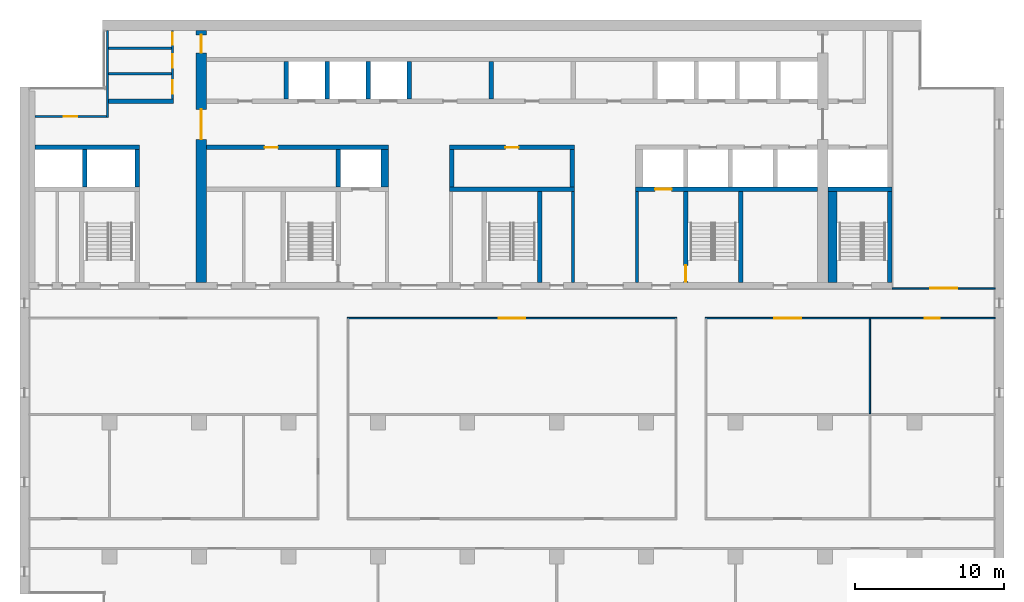
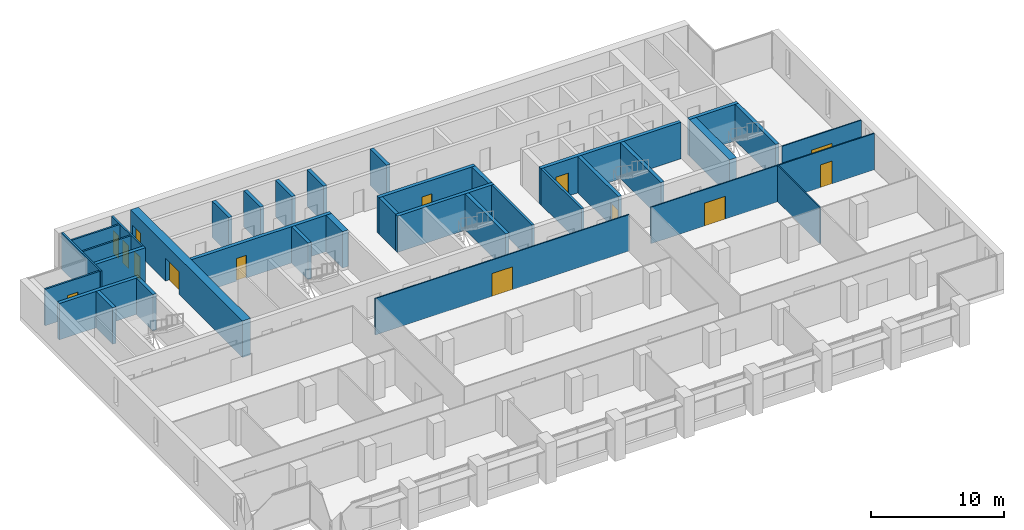
# One storey, part 10 of 17: 35 walls, 14 doors, 14 openings.
"""IFC4 building model written with IfcOpenShell, lengths in metres."""

import ifcopenshell
import ifcopenshell.guid

model = None  # the IFC model being written
_history = None  # IfcOwnerHistory: only IFC2X3 demands one
_inside = {}  # id of a spatial element -> (the spatial element, [elements in it])
_under = {}  # id of a project, library or spatial element -> (it, [spatial elements below it])
_declared = {}  # id of a project -> (the project, [libraries it declares])
_typed = {}  # id of a type object -> (the type object, [elements of that type])
_made_of = {}  # id of a material, layer set ... -> (it, [elements and type objects made of it])


def new_model(schema):
    """Start an empty IFC model of exactly this schema.

    Asked for "IFC4X3", IfcOpenShell would pick the latest addendum, in which some entities
    have other attributes; the version numbers below select the first issue.
    IFC2X3 requires an IfcOwnerHistory on every rooted entity: one is made here for all.
    """
    global model, _history
    if schema == "IFC4X3":
        model = ifcopenshell.file(schema_version=(4, 3, 0, 0))
    else:
        model = ifcopenshell.file(schema=schema)
    _inside.clear()
    _under.clear()
    _declared.clear()
    _typed.clear()
    _made_of.clear()
    _history = None
    if model.schema == "IFC2X3":
        org = make("IfcOrganization", Name="unknown")
        user = make(
            "IfcPersonAndOrganization",
            ThePerson=make("IfcPerson", FamilyName="unknown"),
            TheOrganization=org,
        )
        app = make(
            "IfcApplication",
            ApplicationDeveloper=org,
            Version="unknown",
            ApplicationFullName="unknown",
            ApplicationIdentifier="unknown",
        )
        _history = make(
            "IfcOwnerHistory",
            OwningUser=user,
            OwningApplication=app,
            ChangeAction="ADDED",
            CreationDate=0,
        )
    return model


def make(cls, **values):
    """One entity of the class cls with the attributes given. An attribute that is None is left unset."""
    return model.create_entity(
        cls, **{name: value for name, value in values.items() if value is not None}
    )


def rooted(cls, **values):
    """An entity with a GlobalId (a new one), such as an element, a storey or a relation."""
    return make(cls, GlobalId=ifcopenshell.guid.new(), OwnerHistory=_history, **values)


def si_unit(unit_type, name, prefix=None):
    """IfcSIUnit, for example si_unit("LENGTHUNIT", "METRE", prefix="MILLI")."""
    return make("IfcSIUnit", UnitType=unit_type, Prefix=prefix, Name=name)


def assignment(units):
    """IfcUnitAssignment: the units of a project."""
    return None if units is None else make("IfcUnitAssignment", Units=units)


def point(xyz):
    """IfcCartesianPoint."""
    return None if xyz is None else make("IfcCartesianPoint", Coordinates=xyz)


def direction(xyz):
    """IfcDirection."""
    return None if xyz is None else make("IfcDirection", DirectionRatios=xyz)


def frame(location, z_axis=None, x_axis=None):
    """IfcAxis2Placement3D, a coordinate frame: its origin and axes. An axis left out is left unset."""
    return make(
        "IfcAxis2Placement3D",
        Location=point(location),
        Axis=direction(z_axis),
        RefDirection=direction(x_axis),
    )


def frame_2d(location, x_axis=None):
    """IfcAxis2Placement2D, a coordinate frame in the plane: its origin and x axis."""
    return make(
        "IfcAxis2Placement2D", Location=point(location), RefDirection=direction(x_axis)
    )


def origin():
    """The frame at (0, 0, 0) with its axes left unset."""
    return frame((0.0, 0.0, 0.0))


def place(relative_to, where):
    """IfcLocalPlacement: puts the frame where relative to a parent placement (None: the world)."""
    return make(
        "IfcLocalPlacement", PlacementRelTo=relative_to, RelativePlacement=where
    )


def context(
    kind, dimensions, precision=None, world=None, true_north=None, identifier=None
):
    """IfcGeometricRepresentationContext, for example the 3D "Model" context."""
    return make(
        "IfcGeometricRepresentationContext",
        ContextIdentifier=identifier,
        ContextType=kind,
        CoordinateSpaceDimension=dimensions,
        Precision=precision,
        WorldCoordinateSystem=world,
        TrueNorth=true_north,
    )


def subcontext(parent, identifier, kind, view, scale=None):
    """IfcGeometricRepresentationSubContext, for example "Body" below "Model"."""
    return make(
        "IfcGeometricRepresentationSubContext",
        ContextIdentifier=identifier,
        ContextType=kind,
        ParentContext=parent,
        TargetScale=scale,
        TargetView=view,
    )


def project(units=None, contexts=None):
    """IfcProject with its units and contexts."""
    return rooted(
        "IfcProject",
        Name="project",
        RepresentationContexts=contexts,
        UnitsInContext=assignment(units),
    )


def spatial(cls, under=None, at=None, **own):
    """A site, building, storey or space (cls), placed at a placement, below another one or the project."""
    s = rooted(cls, ObjectPlacement=at, **own)
    if under is not None:
        _under.setdefault(under.id(), (under, []))[1].append(s)
    return s


def profile(cls, at=None, kind="AREA", **sizes):
    """A parametric profile (cls). Its sizes go by their IFC names, for example OverallWidth=200.0."""
    return make(cls, ProfileType=kind, Position=at, **sizes)


def rectangle(**sizes):
    """IfcRectangleProfileDef."""
    return profile("IfcRectangleProfileDef", **sizes)


def extrude(swept, where, along, depth):
    """IfcExtrudedAreaSolid: the profile swept, set in the frame where, extruded along a direction by depth."""
    return make(
        "IfcExtrudedAreaSolid",
        SweptArea=swept,
        Position=where,
        ExtrudedDirection=direction(along),
        Depth=depth,
    )


def shape(context_of_items, identifier, shape_type, items):
    """IfcShapeRepresentation: the items that make up one representation, for example the "Body"."""
    return make(
        "IfcShapeRepresentation",
        ContextOfItems=context_of_items,
        RepresentationIdentifier=identifier,
        RepresentationType=shape_type,
        Items=items,
    )


def material(Name=None, Category=None):
    """IfcMaterial."""
    return make("IfcMaterial", Name=Name, Category=Category)


def layer(
    of_material, thickness, ventilated=None, Name=None, Category=None, Priority=None
):
    """IfcMaterialLayer: one layer of a wall or slab, of a material (None: an air gap)."""
    return make(
        "IfcMaterialLayer",
        Material=of_material,
        LayerThickness=thickness,
        IsVentilated=ventilated,
        Name=Name,
        Category=Category,
        Priority=Priority,
    )


def layer_set(layers, Name=None):
    """IfcMaterialLayerSet."""
    return make("IfcMaterialLayerSet", MaterialLayers=layers, LayerSetName=Name)


def made_of(thing, what):
    """Note that an element or type object is made of a material, layer set ...; save() writes the relation."""
    if what is not None:
        _made_of.setdefault(what.id(), (what, []))[1].append(thing)
    return thing


def type_object(cls, material=None, **own):
    """A type object (cls), such as IfcWallType, which elements share."""
    return made_of(rooted(cls, **own), material)


def element(
    cls,
    number,
    at=None,
    inside=None,
    cuts=None,
    type_object=None,
    material=None,
    context=None,
    identifier="Body",
    shape_type=None,
    held_by="IfcProductDefinitionShape",
    body=None,
    shapes=None,
    **own,
):
    """One element of the class cls, such as IfcWall. Its Tag is "e" and its number.

    at: its placement. inside: the storey or other place that contains it. cuts: it is an
    opening in that element (IfcRelVoidsElement). A single representation is given by context,
    identifier, shape_type and body (its items); several are given by shapes. held_by: the class
    of the entity that holds the representations. save() writes the other relations.
    """
    e = rooted(cls, Tag="e%d" % number, ObjectPlacement=at, **own)
    if body is not None:
        shapes = [shape(context, identifier, shape_type, body)]
    if shapes is not None:
        e.Representation = make(held_by, Representations=shapes)
    if inside is not None:
        _inside.setdefault(inside.id(), (inside, []))[1].append(e)
    if cuts is not None:
        rooted(
            "IfcRelVoidsElement", RelatingBuildingElement=cuts, RelatedOpeningElement=e
        )
    if type_object is not None:
        _typed.setdefault(type_object.id(), (type_object, []))[1].append(e)
    return made_of(e, material)


def fill(opening, filler):
    """IfcRelFillsElement: the door or window that sits in an opening."""
    return rooted(
        "IfcRelFillsElement",
        RelatingOpeningElement=opening,
        RelatedBuildingElement=filler,
    )


def aggregate(whole, parts):
    """IfcRelAggregates: a whole, such as a stair, and the parts it consists of."""
    return rooted("IfcRelAggregates", RelatingObject=whole, RelatedObjects=parts)


def save(model, path):
    """Write the relations noted so far, then the file.

    IfcRelAggregates (storeys below a building ...), IfcRelContainedInSpatialStructure (elements
    in a storey), IfcRelDefinesByType, IfcRelAssociatesMaterial and IfcRelDeclares: one each for
    every whole, place, type object, material and project.
    """
    for whole, parts in _under.values():
        aggregate(whole, parts)
    for where, things in _inside.values():
        rooted(
            "IfcRelContainedInSpatialStructure",
            RelatedElements=things,
            RelatingStructure=where,
        )
    for kind, things in _typed.values():
        rooted("IfcRelDefinesByType", RelatedObjects=things, RelatingType=kind)
    for what, things in _made_of.values():
        rooted("IfcRelAssociatesMaterial", RelatedObjects=things, RelatingMaterial=what)
    for by, libraries in _declared.values():
        rooted("IfcRelDeclares", RelatingContext=by, RelatedDefinitions=libraries)
    model.write(path)


model = new_model("IFC4")

# Units and contexts
model_context = context("Model", 3, precision=1e-05, world=origin(), true_north=direction((0.0, 1.0)))
body_context = subcontext(model_context, "Body", "Model", "MODEL_VIEW")
ifc_project = project(units=[si_unit("LENGTHUNIT", "METRE"), si_unit("AREAUNIT", "SQUARE_METRE"), si_unit("VOLUMEUNIT", "CUBIC_METRE"), si_unit("PLANEANGLEUNIT", "RADIAN"), si_unit("MASSUNIT", "GRAM", prefix="KILO")], contexts=[model_context])

# Site, building, storey
site_placement = place(None, origin())
site = spatial("IfcSite", under=ifc_project, at=site_placement, CompositionType="ELEMENT")
building_placement = place(site_placement, origin())
building = spatial("IfcBuilding", under=site, at=building_placement, Name="Calvaro Tower", CompositionType="ELEMENT")
storey_placement = place(building_placement, frame((0.0, 0.0, 211.75)))
storey = spatial("IfcBuildingStorey", under=building, at=storey_placement, Name="L53", CompositionType="ELEMENT", Elevation=211.75)

# Walls
ifc_material_1 = material(Name="Blockwork partition", Category="masonry")
ifc_layer_1 = layer(ifc_material_1, 0.14990234375)
ifc_layer_set_1 = layer_set([ifc_layer_1], Name="Blockwork partition")
wall_type_1 = type_object("IfcWallType", Name="Core partition 150 EI 60", PredefinedType="PARTITIONING", material=ifc_layer_set_1)
for number, where, z_axis, x_axis, name in (
    (1, (11.949951171875, 42.39990234375, 0.0), (0.0, 0.0, 1.0), (1.0, 0.0, 0.0), "Core partition"),
    (2, (11.949951171875, 44.10009765625, 0.0), (0.0, 0.0, 1.0), (1.0, 0.0, 0.0), "Core partition"),
):
    element("IfcWall", number, at=place(storey_placement, frame(where, z_axis=z_axis, x_axis=x_axis)), inside=storey, type_object=wall_type_1, Name=name, PredefinedType="PARTITIONING", context=body_context, shape_type="SweptSolid", body=[
        extrude(rectangle(XDim=4.199951171875, YDim=0.14990234375, at=frame_2d((2.10009765625, 0.0))), origin(), (0.0, 0.0, 1.0), 3.35009765625),
    ])

# Wall, openings, doors
ifc_material_2 = material(Name="Blockwork partition", Category="masonry")
ifc_layer_2 = layer(ifc_material_2, 0.14990234375)
ifc_layer_set_2 = layer_set([ifc_layer_2], Name="Blockwork partition")
wall_type_2 = type_object("IfcWallType", Name="Core partition 150 REI 120", PredefinedType="PARTITIONING", material=ifc_layer_set_2)
wall_1_placement = place(storey_placement, frame((16.22509765625, 45.300048828125, 0.0), z_axis=(0.0, 0.0, 1.0), x_axis=(0.0, -1.0, 0.0)))
wall_1 = element("IfcWall", 3, at=wall_1_placement, inside=storey, type_object=wall_type_2, Name="Core partition", PredefinedType="PARTITIONING", context=body_context, shape_type="SweptSolid", body=[
    extrude(rectangle(XDim=4.60009765625, YDim=0.14990234375, at=frame_2d((2.300048828125, 0.0))), origin(), (0.0, 0.0, 1.0), 3.35009765625),
])
opening_1_placement = place(wall_1_placement, frame((3.33740234375, 0.0, 0.0)))
opening_1 = element("IfcOpeningElement", 4, at=opening_1_placement, cuts=wall_1, Name="Opening RD9", PredefinedType="OPENING", context=body_context, shape_type="SweptSolid", body=[
    extrude(rectangle(XDim=0.89990234375, YDim=2.10009765625, at=frame_2d((0.449951171875, 1.050048828125))), frame((0.0, 0.0849609375, 0.0), z_axis=(0.0, -1.0, 0.0), x_axis=(1.0, 0.0, 0.0)), (0.0, 0.0, 1.0), 0.169921875),
])
opening_2_placement = place(wall_1_placement, frame((1.60009765625, 0.0, 0.0)))
opening_2 = element("IfcOpeningElement", 5, at=opening_2_placement, cuts=wall_1, Name="Opening RD9", PredefinedType="OPENING", context=body_context, shape_type="SweptSolid", body=[
    extrude(rectangle(XDim=0.89990234375, YDim=2.10009765625, at=frame_2d((0.449951171875, 1.050048828125))), frame((0.0, 0.0849609375, 0.0), z_axis=(0.0, -1.0, 0.0), x_axis=(1.0, 0.0, 0.0)), (0.0, 0.0, 1.0), 0.169921875),
])
opening_3_placement = place(wall_1_placement, frame((0.16259765625, 0.0, 0.0)))
opening_3 = element("IfcOpeningElement", 6, at=opening_3_placement, cuts=wall_1, Name="Opening RD8C", PredefinedType="OPENING", context=body_context, shape_type="SweptSolid", body=[
    extrude(rectangle(XDim=0.800048828125, YDim=2.10009765625, at=frame_2d((0.39990234375, 1.050048828125))), frame((0.0, 0.0849609375, 0.0), z_axis=(0.0, -1.0, 0.0), x_axis=(1.0, 0.0, 0.0)), (0.0, 0.0, 1.0), 0.169921875),
])
ifc_material_3 = material(Name="Steel door set", Category="steel")
door_type_1 = type_object("IfcDoorType", Name="Room door 800 FD30", OperationType="SINGLE_SWING_LEFT", PredefinedType="DOOR", material=ifc_material_3)
door_1_placement = place(opening_3_placement, origin())
door_1 = element("IfcDoor", 7, at=door_1_placement, inside=storey, type_object=door_type_1, Name="Room door", OperationType="SINGLE_SWING_RIGHT", OverallHeight=2.10009765625, OverallWidth=0.800048828125, PredefinedType="DOOR", context=body_context, shape_type="SweptSolid", body=[
    extrude(rectangle(XDim=0.800048828125, YDim=2.10009765625, at=frame_2d((0.39990234375, 1.050048828125))), frame((0.0, 0.02490234375, 0.0), z_axis=(0.0, -1.0, 0.0), x_axis=(1.0, 0.0, 0.0)), (0.0, 0.0, 1.0), 0.050048828125),
])
fill(opening_3, door_1)
ifc_material_4 = material(Name="Steel door set", Category="steel")
door_type_2 = type_object("IfcDoorType", Name="Room door 900", OperationType="SINGLE_SWING_LEFT", PredefinedType="DOOR", material=ifc_material_4)
door_2_placement = place(opening_1_placement, origin())
door_2 = element("IfcDoor", 8, at=door_2_placement, inside=storey, type_object=door_type_2, Name="Room door", OperationType="SINGLE_SWING_RIGHT", OverallHeight=2.10009765625, OverallWidth=0.89990234375, PredefinedType="DOOR", context=body_context, shape_type="SweptSolid", body=[
    extrude(rectangle(XDim=0.89990234375, YDim=2.10009765625, at=frame_2d((0.449951171875, 1.050048828125))), frame((0.0, 0.02490234375, 0.0), z_axis=(0.0, -1.0, 0.0), x_axis=(1.0, 0.0, 0.0)), (0.0, 0.0, 1.0), 0.050048828125),
])
fill(opening_1, door_2)
door_3_placement = place(opening_2_placement, origin())
door_3 = element("IfcDoor", 9, at=door_3_placement, inside=storey, type_object=door_type_2, Name="Room door", OperationType="SINGLE_SWING_RIGHT", OverallHeight=2.10009765625, OverallWidth=0.89990234375, PredefinedType="DOOR", context=body_context, shape_type="SweptSolid", body=[
    extrude(rectangle(XDim=0.89990234375, YDim=2.10009765625, at=frame_2d((0.449951171875, 1.050048828125))), frame((0.0, 0.02490234375, 0.0), z_axis=(0.0, -1.0, 0.0), x_axis=(1.0, 0.0, 0.0)), (0.0, 0.0, 1.0), 0.050048828125),
])
fill(opening_2, door_3)

# Wall
wall_2_placement = place(storey_placement, frame((11.875, 39.449951171875, 0.0), z_axis=(0.0, 0.0, 1.0), x_axis=(0.0, 1.0, 0.0)))
element("IfcWall", 10, at=wall_2_placement, inside=storey, type_object=wall_type_2, Name="Core partition", PredefinedType="PARTITIONING", context=body_context, shape_type="SweptSolid", body=[
    extrude(rectangle(XDim=5.85009765625, YDim=0.14990234375, at=frame_2d((2.925048828125, 0.0))), origin(), (0.0, 0.0, 1.0), 3.35009765625),
])

# Wall, opening, door
wall_3_placement = place(storey_placement, frame((7.0, 39.52490234375, 0.0), z_axis=(0.0, 0.0, 1.0), x_axis=(1.0, 0.0, 0.0)))
wall_3 = element("IfcWall", 11, at=wall_3_placement, inside=storey, type_object=wall_type_2, Name="Core partition", PredefinedType="PARTITIONING", context=body_context, shape_type="SweptSolid", body=[
    extrude(rectangle(XDim=4.800048828125, YDim=0.14990234375, at=frame_2d((2.39990234375, 0.0))), origin(), (0.0, 0.0, 1.0), 3.35009765625),
])
opening_4_placement = place(wall_3_placement, frame((1.949951171875, 0.0, 0.0)))
opening_4 = element("IfcOpeningElement", 12, at=opening_4_placement, cuts=wall_3, Name="Opening RD9", PredefinedType="OPENING", context=body_context, shape_type="SweptSolid", body=[
    extrude(rectangle(XDim=0.89990234375, YDim=2.10009765625, at=frame_2d((0.449951171875, 1.050048828125))), frame((0.0, 0.0849609375, 0.0), z_axis=(0.0, -1.0, 0.0), x_axis=(1.0, 0.0, 0.0)), (0.0, 0.0, 1.0), 0.169921875),
])
door_4_placement = place(opening_4_placement, origin())
door_4 = element("IfcDoor", 13, at=door_4_placement, inside=storey, type_object=door_type_2, Name="Room door", OperationType="SINGLE_SWING_LEFT", OverallHeight=2.10009765625, OverallWidth=0.89990234375, PredefinedType="DOOR", context=body_context, shape_type="SweptSolid", body=[
    extrude(rectangle(XDim=0.89990234375, YDim=2.10009765625, at=frame_2d((0.449951171875, 1.050048828125))), frame((0.0, 0.02490234375, 0.0), z_axis=(0.0, -1.0, 0.0), x_axis=(1.0, 0.0, 0.0)), (0.0, 0.0, 1.0), 0.050048828125),
])
fill(opening_4, door_4)

# Walls
ifc_material_5 = material(Name="Blockwork partition", Category="masonry")
ifc_layer_3 = layer(ifc_material_5, 0.199951171875)
ifc_layer_set_3 = layer_set([ifc_layer_3], Name="Blockwork partition")
wall_type_3 = type_object("IfcWallType", Name="Core partition 200 REI 120", PredefinedType="PARTITIONING", material=ifc_layer_set_3)
for number, where, z_axis, x_axis, name in (
    (14, (43.10009765625, 28.39990234375, 0.0), (0.0, 0.0, 1.0), (0.0, 1.0, 0.0), "Core partition"),
    (15, (47.39990234375, 28.39990234375, 0.0), (0.0, 0.0, 1.0), (0.0, 1.0, 0.0), "Core partition"),
):
    element("IfcWall", number, at=place(storey_placement, frame(where, z_axis=z_axis, x_axis=x_axis)), inside=storey, type_object=wall_type_3, Name=name, PredefinedType="PARTITIONING", context=body_context, shape_type="SweptSolid", body=[
        extrude(rectangle(XDim=6.10009765625, YDim=0.199951171875, at=frame_2d((3.050048828125, 0.0))), origin(), (0.0, 0.0, 1.0), 3.35009765625),
    ])
ifc_material_6 = material(Name="Blockwork partition", Category="masonry")
ifc_layer_4 = layer(ifc_material_6, 0.300048828125)
ifc_layer_set_4 = layer_set([ifc_layer_4], Name="Blockwork partition")
wall_type_4 = type_object("IfcWallType", Name="Core partition 300 EI 60", PredefinedType="PARTITIONING", material=ifc_layer_set_4)
wall_4_placement = place(storey_placement, frame((37.60009765625, 40.699951171875, 0.0), z_axis=(0.0, 0.0, 1.0), x_axis=(0.0, 1.0, 0.0)))
element("IfcWall", 16, at=wall_4_placement, inside=storey, type_object=wall_type_4, Name="Core partition", PredefinedType="PARTITIONING", context=body_context, shape_type="SweptSolid", body=[
    extrude(rectangle(XDim=2.5, YDim=0.300048828125, at=frame_2d((1.25, 0.0))), origin(), (0.0, 0.0, 1.0), 3.35009765625),
])
ifc_material_7 = material(Name="Blockwork partition", Category="masonry")
ifc_layer_5 = layer(ifc_material_7, 0.300048828125)
ifc_layer_set_5 = layer_set([ifc_layer_5], Name="Blockwork partition")
wall_type_5 = type_object("IfcWallType", Name="Core partition 300 REI 120", PredefinedType="PARTITIONING", material=ifc_layer_set_5)
wall_5_placement = place(storey_placement, frame((11.949951171875, 40.550048828125, 0.0), z_axis=(0.0, 0.0, 1.0), x_axis=(1.0, 0.0, 0.0)))
element("IfcWall", 17, at=wall_5_placement, inside=storey, type_object=wall_type_5, Name="Core partition", PredefinedType="PARTITIONING", context=body_context, shape_type="SweptSolid", body=[
    extrude(rectangle(XDim=4.35009765625, YDim=0.300048828125, at=frame_2d((2.175048828125, 0.0))), origin(), (0.0, 0.0, 1.0), 3.35009765625),
])
ifc_material_8 = material(Name="Concrete C50/60", Category="concrete")
ifc_layer_6 = layer(ifc_material_8, 0.300048828125)
ifc_layer_set_6 = layer_set([ifc_layer_6], Name="Concrete C50/60")
wall_type_6 = type_object("IfcWallType", Name="Core wall C50/60 300", PredefinedType="SHEAR", material=ifc_layer_set_6)
wall_6_placement = place(storey_placement, frame((40.85009765625, 28.39990234375, 0.0), z_axis=(0.0, 0.0, 1.0), x_axis=(0.0, 1.0, 0.0)))
element("IfcWall", 18, at=wall_6_placement, inside=storey, type_object=wall_type_6, Name="Core wall, stair enclosure", PredefinedType="SHEAR", context=body_context, shape_type="SweptSolid", body=[
    extrude(rectangle(XDim=6.10009765625, YDim=0.300048828125, at=frame_2d((3.050048828125, 0.0))), origin(), (0.0, 0.0, 1.0), 3.35009765625),
])

# Wall, opening, door
wall_7_placement = place(storey_placement, frame((50.64990234375, 34.5, 0.0), z_axis=(0.0, 0.0, 1.0), x_axis=(0.0, -1.0, 0.0)))
wall_7 = element("IfcWall", 19, at=wall_7_placement, inside=storey, type_object=wall_type_6, Name="Core wall, stair enclosure", PredefinedType="SHEAR", context=body_context, shape_type="SweptSolid", body=[
    extrude(rectangle(XDim=6.10009765625, YDim=0.300048828125, at=frame_2d((3.050048828125, 0.0))), origin(), (0.0, 0.0, 1.0), 3.35009765625),
])
opening_5_placement = place(wall_7_placement, frame((4.949951171875, 0.0, 0.0)))
opening_5 = element("IfcOpeningElement", 20, at=opening_5_placement, cuts=wall_7, Name="Opening FD11D", PredefinedType="OPENING", context=body_context, shape_type="SweptSolid", body=[
    extrude(rectangle(XDim=1.10009765625, YDim=2.10009765625, at=frame_2d((0.550048828125, 1.050048828125))), frame((0.0, 0.159912109375, 0.0), z_axis=(0.0, -1.0, 0.0), x_axis=(1.0, 0.0, 0.0)), (0.0, 0.0, 1.0), 0.320068359375),
])
ifc_material_9 = material(Name="Steel door set", Category="steel")
door_type_3 = type_object("IfcDoorType", Name="Fire door 1100 FD30S", OperationType="SINGLE_SWING_LEFT", PredefinedType="DOOR", material=ifc_material_9)
door_5_placement = place(opening_5_placement, origin())
door_5 = element("IfcDoor", 21, at=door_5_placement, inside=storey, type_object=door_type_3, Name="Fire door", OperationType="SINGLE_SWING_RIGHT", OverallHeight=2.10009765625, OverallWidth=1.10009765625, PredefinedType="DOOR", context=body_context, shape_type="SweptSolid", body=[
    extrude(rectangle(XDim=1.10009765625, YDim=2.10009765625, at=frame_2d((0.550048828125, 1.050048828125))), frame((0.0, 0.02490234375, 0.0), z_axis=(0.0, -1.0, 0.0), x_axis=(1.0, 0.0, 0.0)), (0.0, 0.0, 1.0), 0.050048828125),
])
fill(opening_5, door_5)

# Walls
for number, where, z_axis, x_axis, name in (
    (22, (54.35009765625, 28.39990234375, 0.0), (0.0, 0.0, 1.0), (0.0, 1.0, 0.0), "Core wall, stair enclosure"),
    (23, (64.35009765625, 28.39990234375, 0.0), (0.0, 0.0, 1.0), (0.0, 1.0, 0.0), "Core wall, stair enclosure"),
):
    element("IfcWall", number, at=place(storey_placement, frame(where, z_axis=z_axis, x_axis=x_axis)), inside=storey, type_object=wall_type_6, Name=name, PredefinedType="SHEAR", context=body_context, shape_type="SweptSolid", body=[
        extrude(rectangle(XDim=6.10009765625, YDim=0.300048828125, at=frame_2d((3.050048828125, 0.0))), origin(), (0.0, 0.0, 1.0), 3.35009765625),
    ])
wall_8_placement = place(storey_placement, frame((34.800048828125, 34.64990234375, 0.0), z_axis=(0.0, 0.0, 1.0), x_axis=(1.0, 0.0, 0.0)))
element("IfcWall", 24, at=wall_8_placement, inside=storey, type_object=wall_type_6, Name="Core wall, lift shaft", PredefinedType="SHEAR", context=body_context, shape_type="SweptSolid", body=[
    extrude(rectangle(XDim=8.39990234375, YDim=0.300048828125, at=frame_2d((4.199951171875, 0.0))), origin(), (0.0, 0.0, 1.0), 3.35009765625),
])

# Wall, opening, door
wall_9_placement = place(storey_placement, frame((47.300048828125, 34.64990234375, 0.0), z_axis=(0.0, 0.0, 1.0), x_axis=(1.0, 0.0, 0.0)))
wall_9 = element("IfcWall", 25, at=wall_9_placement, inside=storey, type_object=wall_type_6, Name="Core wall, lift shaft", PredefinedType="SHEAR", context=body_context, shape_type="SweptSolid", body=[
    extrude(rectangle(XDim=12.199951171875, YDim=0.300048828125, at=frame_2d((6.10009765625, 0.0))), origin(), (0.0, 0.0, 1.0), 3.35009765625),
])
opening_6_placement = place(wall_9_placement, frame((1.300048828125, 0.0, 0.0)))
opening_6 = element("IfcOpeningElement", 26, at=opening_6_placement, cuts=wall_9, Name="Opening FF2", PredefinedType="OPENING", context=body_context, shape_type="SweptSolid", body=[
    extrude(rectangle(XDim=1.10009765625, YDim=2.10009765625, at=frame_2d((0.550048828125, 1.050048828125))), frame((0.0, 0.159912109375, 0.0), z_axis=(0.0, -1.0, 0.0), x_axis=(1.0, 0.0, 0.0)), (0.0, 0.0, 1.0), 0.320068359375),
])
ifc_material_10 = material(Name="Stainless steel", Category="steel")
door_type_4 = type_object("IfcDoorType", Name="Landing door 1100 E 60", OperationType="SLIDING_TO_LEFT", PredefinedType="DOOR", material=ifc_material_10)
door_6_placement = place(opening_6_placement, origin())
door_6 = element("IfcDoor", 27, at=door_6_placement, inside=storey, type_object=door_type_4, Name="Landing door FF2", OperationType="SLIDING_TO_LEFT", OverallHeight=2.10009765625, OverallWidth=1.10009765625, PredefinedType="DOOR", context=body_context, shape_type="SweptSolid", body=[
    extrude(rectangle(XDim=1.10009765625, YDim=2.10009765625, at=frame_2d((0.550048828125, 1.050048828125))), frame((0.0, 0.02490234375, 0.0), z_axis=(0.0, -1.0, 0.0), x_axis=(1.0, 0.0, 0.0)), (0.0, 0.0, 1.0), 0.050048828125),
])
fill(opening_6, door_6)

# Walls
wall_10_placement = place(storey_placement, frame((60.199951171875, 34.64990234375, 0.0), z_axis=(0.0, 0.0, 1.0), x_axis=(1.0, 0.0, 0.0)))
element("IfcWall", 28, at=wall_10_placement, inside=storey, type_object=wall_type_6, Name="Core wall, lift shaft", PredefinedType="SHEAR", context=body_context, shape_type="SweptSolid", body=[
    extrude(rectangle(XDim=4.300048828125, YDim=0.300048828125, at=frame_2d((2.14990234375, 0.0))), origin(), (0.0, 0.0, 1.0), 3.35009765625),
])
wall_11_placement = place(storey_placement, frame((7.0, 37.449951171875, 0.0), z_axis=(0.0, 0.0, 1.0), x_axis=(1.0, 0.0, 0.0)))
element("IfcWall", 29, at=wall_11_placement, inside=storey, type_object=wall_type_6, Name="Core wall, lift shaft", PredefinedType="SHEAR", context=body_context, shape_type="SweptSolid", body=[
    extrude(rectangle(XDim=7.0, YDim=0.300048828125, at=frame_2d((3.5, 0.0))), origin(), (0.0, 0.0, 1.0), 3.35009765625),
])

# Wall, opening, door
wall_12_placement = place(storey_placement, frame((30.699951171875, 37.449951171875, 0.0), z_axis=(0.0, 0.0, 1.0), x_axis=(-1.0, 0.0, 0.0)))
wall_12 = element("IfcWall", 30, at=wall_12_placement, inside=storey, type_object=wall_type_6, Name="Core wall, bay", PredefinedType="SHEAR", context=body_context, shape_type="SweptSolid", body=[
    extrude(rectangle(XDim=12.199951171875, YDim=0.300048828125, at=frame_2d((6.10009765625, 0.0))), origin(), (0.0, 0.0, 1.0), 3.35009765625),
])
opening_7_placement = place(wall_12_placement, frame((7.39990234375, 0.0, 0.0)))
opening_7 = element("IfcOpeningElement", 31, at=opening_7_placement, cuts=wall_12, Name="Opening RD9E", PredefinedType="OPENING", context=body_context, shape_type="SweptSolid", body=[
    extrude(rectangle(XDim=0.89990234375, YDim=2.10009765625, at=frame_2d((0.449951171875, 1.050048828125))), frame((0.0, 0.159912109375, 0.0), z_axis=(0.0, -1.0, 0.0), x_axis=(1.0, 0.0, 0.0)), (0.0, 0.0, 1.0), 0.320068359375),
])
ifc_material_11 = material(Name="Steel door set", Category="steel")
door_type_5 = type_object("IfcDoorType", Name="Room door 900 FD60", OperationType="SINGLE_SWING_LEFT", PredefinedType="DOOR", material=ifc_material_11)
door_7_placement = place(opening_7_placement, origin())
door_7 = element("IfcDoor", 32, at=door_7_placement, inside=storey, type_object=door_type_5, Name="Room door", OperationType="SINGLE_SWING_LEFT", OverallHeight=2.10009765625, OverallWidth=0.89990234375, PredefinedType="DOOR", context=body_context, shape_type="SweptSolid", body=[
    extrude(rectangle(XDim=0.89990234375, YDim=2.10009765625, at=frame_2d((0.449951171875, 1.050048828125))), frame((0.0, 0.02490234375, 0.0), z_axis=(0.0, -1.0, 0.0), x_axis=(1.0, 0.0, 0.0)), (0.0, 0.0, 1.0), 0.050048828125),
])
fill(opening_7, door_7)

wall_13_placement = place(storey_placement, frame((43.199951171875, 37.449951171875, 0.0), z_axis=(0.0, 0.0, 1.0), x_axis=(-1.0, 0.0, 0.0)))
wall_13 = element("IfcWall", 33, at=wall_13_placement, inside=storey, type_object=wall_type_6, Name="Core wall, bay", PredefinedType="SHEAR", context=body_context, shape_type="SweptSolid", body=[
    extrude(rectangle(XDim=8.39990234375, YDim=0.300048828125, at=frame_2d((4.199951171875, 0.0))), origin(), (0.0, 0.0, 1.0), 3.35009765625),
])
opening_8_placement = place(wall_13_placement, frame((3.75, 0.0, 0.0)))
opening_8 = element("IfcOpeningElement", 34, at=opening_8_placement, cuts=wall_13, Name="Opening RD9C", PredefinedType="OPENING", context=body_context, shape_type="SweptSolid", body=[
    extrude(rectangle(XDim=0.89990234375, YDim=2.10009765625, at=frame_2d((0.449951171875, 1.050048828125))), frame((0.0, 0.159912109375, 0.0), z_axis=(0.0, -1.0, 0.0), x_axis=(1.0, 0.0, 0.0)), (0.0, 0.0, 1.0), 0.320068359375),
])
ifc_material_12 = material(Name="Steel door set", Category="steel")
door_type_6 = type_object("IfcDoorType", Name="Room door 900 FD30", OperationType="SINGLE_SWING_LEFT", PredefinedType="DOOR", material=ifc_material_12)
door_8_placement = place(opening_8_placement, origin())
door_8 = element("IfcDoor", 35, at=door_8_placement, inside=storey, type_object=door_type_6, Name="Room door", OperationType="SINGLE_SWING_RIGHT", OverallHeight=2.10009765625, OverallWidth=0.89990234375, PredefinedType="DOOR", context=body_context, shape_type="SweptSolid", body=[
    extrude(rectangle(XDim=0.89990234375, YDim=2.10009765625, at=frame_2d((0.449951171875, 1.050048828125))), frame((0.0, 0.02490234375, 0.0), z_axis=(0.0, -1.0, 0.0), x_axis=(1.0, 0.0, 0.0)), (0.0, 0.0, 1.0), 0.050048828125),
])
fill(opening_8, door_8)

# Walls
for number, where, z_axis, x_axis, name in (
    (36, (27.35009765625, 34.800048828125, 0.0), (0.0, 0.0, 1.0), (0.0, 1.0, 0.0), "Core wall, lift shaft"),
    (37, (34.949951171875, 34.800048828125, 0.0), (0.0, 0.0, 1.0), (0.0, 1.0, 0.0), "Core wall, lift shaft"),
    (38, (43.050048828125, 34.800048828125, 0.0), (0.0, 0.0, 1.0), (0.0, 1.0, 0.0), "Core wall, lift shaft"),
    (39, (13.85009765625, 34.800048828125, 0.0), (0.0, 0.0, 1.0), (0.0, 1.0, 0.0), "Core wall, lift shaft"),
    (40, (23.85009765625, 40.699951171875, 0.0), (0.0, 0.0, 1.0), (0.0, 1.0, 0.0), "Core wall, lift shaft"),
    (41, (26.60009765625, 40.699951171875, 0.0), (0.0, 0.0, 1.0), (0.0, 1.0, 0.0), "Core wall, lift shaft"),
    (42, (29.35009765625, 40.699951171875, 0.0), (0.0, 0.0, 1.0), (0.0, 1.0, 0.0), "Core wall, lift shaft"),
    (43, (32.10009765625, 40.699951171875, 0.0), (0.0, 0.0, 1.0), (0.0, 1.0, 0.0), "Core wall, lift shaft"),
    (44, (10.35009765625, 34.800048828125, 0.0), (0.0, 0.0, 1.0), (0.0, 1.0, 0.0), "Core wall, lift shaft"),
):
    element("IfcWall", number, at=place(storey_placement, frame(where, z_axis=z_axis, x_axis=x_axis)), inside=storey, type_object=wall_type_6, Name=name, PredefinedType="SHEAR", context=body_context, shape_type="SweptSolid", body=[
        extrude(rectangle(XDim=2.5, YDim=0.300048828125, at=frame_2d((1.25, 0.0))), origin(), (0.0, 0.0, 1.0), 3.35009765625),
    ])
ifc_material_13 = material(Name="Concrete C50/60", Category="concrete")
ifc_layer_7 = layer(ifc_material_13, 0.5)
ifc_layer_set_7 = layer_set([ifc_layer_7], Name="Concrete C50/60")
wall_type_7 = type_object("IfcWallType", Name="Core wall C50/60 500", PredefinedType="SHEAR", material=ifc_layer_set_7)
wall_14_placement = place(storey_placement, frame((30.449951171875, 34.800048828125, 0.0), z_axis=(0.0, 0.0, 1.0), x_axis=(0.0, 1.0, 0.0)))
element("IfcWall", 45, at=wall_14_placement, inside=storey, type_object=wall_type_7, Name="Core wall, lift shaft", PredefinedType="SHEAR", context=body_context, shape_type="SweptSolid", body=[
    extrude(rectangle(XDim=2.5, YDim=0.5, at=frame_2d((1.25, 0.0))), origin(), (0.0, 0.0, 1.0), 3.35009765625),
])
ifc_material_14 = material(Name="Concrete C50/60", Category="concrete")
ifc_layer_8 = layer(ifc_material_14, 0.60009765625)
ifc_layer_set_8 = layer_set([ifc_layer_8], Name="Concrete C50/60")
wall_type_8 = type_object("IfcWallType", Name="Core wall C50/60 600", PredefinedType="SHEAR", material=ifc_layer_set_8)
wall_15_placement = place(storey_placement, frame((60.5, 28.39990234375, 0.0), z_axis=(0.0, 0.0, 1.0), x_axis=(0.0, 1.0, 0.0)))
element("IfcWall", 46, at=wall_15_placement, inside=storey, type_object=wall_type_8, Name="Core wall, stair enclosure", PredefinedType="SHEAR", context=body_context, shape_type="SweptSolid", body=[
    extrude(rectangle(XDim=6.10009765625, YDim=0.60009765625, at=frame_2d((3.050048828125, 0.0))), origin(), (0.0, 0.0, 1.0), 3.35009765625),
])

# Wall, openings, doors
ifc_material_15 = material(Name="Concrete C50/60", Category="concrete")
ifc_layer_9 = layer(ifc_material_15, 0.699951171875)
ifc_layer_set_9 = layer_set([ifc_layer_9], Name="Concrete C50/60")
wall_type_9 = type_object("IfcWallType", Name="Core wall C50/60 700", PredefinedType="SHEAR", material=ifc_layer_set_9)
wall_16_placement = place(storey_placement, frame((18.14990234375, 28.39990234375, 0.0), z_axis=(0.0, 0.0, 1.0), x_axis=(0.0, 1.0, 0.0)))
wall_16 = element("IfcWall", 47, at=wall_16_placement, inside=storey, type_object=wall_type_9, Name="Core wall, cross shear wall", PredefinedType="SHEAR", context=body_context, shape_type="SweptSolid", body=[
    extrude(rectangle(XDim=16.900146484375, YDim=0.699951171875, at=frame_2d((8.4501953125, 0.0))), origin(), (0.0, 0.0, 1.0), 3.35009765625),
])
opening_9_placement = place(wall_16_placement, frame((9.60009765625, 0.0, 0.0)))
opening_9 = element("IfcOpeningElement", 48, at=opening_9_placement, cuts=wall_16, Name="Opening DD20D", PredefinedType="OPENING", context=body_context, shape_type="SweptSolid", body=[
    extrude(rectangle(XDim=2.0, YDim=2.10009765625, at=frame_2d((1.0, 1.050048828125))), frame((0.0, 0.35986328125, 0.0), z_axis=(0.0, -1.0, 0.0), x_axis=(1.0, 0.0, 0.0)), (0.0, 0.0, 1.0), 0.719970703125),
])
opening_10_placement = place(wall_16_placement, frame((15.39990234375, 0.0, 0.0)))
opening_10 = element("IfcOpeningElement", 49, at=opening_10_placement, cuts=wall_16, Name="Opening FD12C", PredefinedType="OPENING", context=body_context, shape_type="SweptSolid", body=[
    extrude(rectangle(XDim=1.199951171875, YDim=2.10009765625, at=frame_2d((0.60009765625, 1.050048828125))), frame((0.0, 0.35986328125, 0.0), z_axis=(0.0, -1.0, 0.0), x_axis=(1.0, 0.0, 0.0)), (0.0, 0.0, 1.0), 0.719970703125),
])
ifc_material_16 = material(Name="Steel door set", Category="steel")
door_type_7 = type_object("IfcDoorType", Name="Fire door 1200 FD30", OperationType="SINGLE_SWING_LEFT", PredefinedType="DOOR", material=ifc_material_16)
door_9_placement = place(opening_10_placement, origin())
door_9 = element("IfcDoor", 50, at=door_9_placement, inside=storey, type_object=door_type_7, Name="Fire door", OperationType="SINGLE_SWING_LEFT", OverallHeight=2.10009765625, OverallWidth=1.199951171875, PredefinedType="DOOR", context=body_context, shape_type="SweptSolid", body=[
    extrude(rectangle(XDim=1.199951171875, YDim=2.10009765625, at=frame_2d((0.60009765625, 1.050048828125))), frame((0.0, 0.02490234375, 0.0), z_axis=(0.0, -1.0, 0.0), x_axis=(1.0, 0.0, 0.0)), (0.0, 0.0, 1.0), 0.050048828125),
])
fill(opening_10, door_9)
ifc_material_17 = material(Name="Steel door set", Category="steel")
door_type_8 = type_object("IfcDoorType", Name="Lobby double door 2000 FD30S", OperationType="DOUBLE_DOOR_SINGLE_SWING", PredefinedType="DOOR", material=ifc_material_17)
door_10_placement = place(opening_9_placement, origin())
door_10 = element("IfcDoor", 51, at=door_10_placement, inside=storey, type_object=door_type_8, Name="Lobby double door", OperationType="DOUBLE_DOOR_SINGLE_SWING", OverallHeight=2.10009765625, OverallWidth=2.0, PredefinedType="DOOR", context=body_context, shape_type="SweptSolid", body=[
    extrude(rectangle(XDim=2.0, YDim=2.10009765625, at=frame_2d((1.0, 1.050048828125))), frame((0.0, 0.02490234375, 0.0), z_axis=(0.0, -1.0, 0.0), x_axis=(1.0, 0.0, 0.0)), (0.0, 0.0, 1.0), 0.050048828125),
])
fill(opening_9, door_10)

# Wall, opening, door
ifc_material_18 = material(Name="Plasterboard on steel studs", Category="steel")
ifc_layer_10 = layer(ifc_material_18, 0.10009765625)
ifc_layer_set_10 = layer_set([ifc_layer_10], Name="Plasterboard on steel studs")
wall_type_10 = type_object("IfcWallType", Name="Partition 100", PredefinedType="PARTITIONING", material=ifc_layer_set_10)
wall_17_placement = place(storey_placement, frame((27.949951171875, 26.0, 0.0), z_axis=(0.0, 0.0, 1.0), x_axis=(1.0, 0.0, 0.0)))
wall_17 = element("IfcWall", 52, at=wall_17_placement, inside=storey, type_object=wall_type_10, Name="Partition T30.W009", PredefinedType="PARTITIONING", context=body_context, shape_type="SweptSolid", body=[
    extrude(rectangle(XDim=22.10009765625, YDim=0.10009765625, at=frame_2d((11.050048828125, 0.0))), origin(), (0.0, 0.0, 1.0), 3.35009765625),
])
opening_11_placement = place(wall_17_placement, frame((10.14990234375, 0.0, 0.0)))
opening_11 = element("IfcOpeningElement", 53, at=opening_11_placement, cuts=wall_17, Name="Opening T30.013", PredefinedType="OPENING", context=body_context, shape_type="SweptSolid", body=[
    extrude(rectangle(XDim=1.800048828125, YDim=2.10009765625, at=frame_2d((0.89990234375, 1.050048828125))), frame((0.0, 0.06005859375, 0.0), z_axis=(0.0, -1.0, 0.0), x_axis=(1.0, 0.0, 0.0)), (0.0, 0.0, 1.0), 0.1201171875),
])
ifc_material_19 = material(Name="Timber", Category="wood")
door_type_9 = type_object("IfcDoorType", Name="Internal double door 1800 x 2100", OperationType="DOUBLE_DOOR_SINGLE_SWING", PredefinedType="DOOR", material=ifc_material_19)
door_11_placement = place(opening_11_placement, origin())
door_11 = element("IfcDoor", 54, at=door_11_placement, inside=storey, type_object=door_type_9, Name="Door T30.013", OperationType="DOUBLE_DOOR_SINGLE_SWING", OverallHeight=2.10009765625, OverallWidth=1.800048828125, PredefinedType="DOOR", context=body_context, shape_type="SweptSolid", body=[
    extrude(rectangle(XDim=1.800048828125, YDim=2.10009765625, at=frame_2d((0.89990234375, 1.050048828125))), frame((0.0, 0.02490234375, 0.0), z_axis=(0.0, -1.0, 0.0), x_axis=(1.0, 0.0, 0.0)), (0.0, 0.0, 1.0), 0.050048828125),
])
fill(opening_11, door_11)

# Wall, openings, doors
wall_18_placement = place(storey_placement, frame((51.949951171875, 26.0, 0.0), z_axis=(0.0, 0.0, 1.0), x_axis=(1.0, 0.0, 0.0)))
wall_18 = element("IfcWall", 55, at=wall_18_placement, inside=storey, type_object=wall_type_10, Name="Partition T30.W010", PredefinedType="PARTITIONING", context=body_context, shape_type="SweptSolid", body=[
    extrude(rectangle(XDim=19.449951171875, YDim=0.10009765625, at=frame_2d((9.72509765625, 0.0))), origin(), (0.0, 0.0, 1.0), 3.35009765625),
])
opening_12_placement = place(wall_18_placement, frame((4.64990234375, 0.0, 0.0)))
opening_12 = element("IfcOpeningElement", 56, at=opening_12_placement, cuts=wall_18, Name="Opening T30.014", PredefinedType="OPENING", context=body_context, shape_type="SweptSolid", body=[
    extrude(rectangle(XDim=1.800048828125, YDim=2.10009765625, at=frame_2d((0.89990234375, 1.050048828125))), frame((0.0, 0.06005859375, 0.0), z_axis=(0.0, -1.0, 0.0), x_axis=(1.0, 0.0, 0.0)), (0.0, 0.0, 1.0), 0.1201171875),
])
opening_13_placement = place(wall_18_placement, frame((14.75, 0.0, 0.0)))
opening_13 = element("IfcOpeningElement", 57, at=opening_13_placement, cuts=wall_18, Name="Opening T30.015", PredefinedType="OPENING", context=body_context, shape_type="SweptSolid", body=[
    extrude(rectangle(XDim=1.0, YDim=2.10009765625, at=frame_2d((0.5, 1.050048828125))), frame((0.0, 0.06005859375, 0.0), z_axis=(0.0, -1.0, 0.0), x_axis=(1.0, 0.0, 0.0)), (0.0, 0.0, 1.0), 0.1201171875),
])
door_12_placement = place(opening_12_placement, origin())
door_12 = element("IfcDoor", 58, at=door_12_placement, inside=storey, type_object=door_type_9, Name="Door T30.014", OperationType="DOUBLE_DOOR_SINGLE_SWING", OverallHeight=2.10009765625, OverallWidth=1.800048828125, PredefinedType="DOOR", context=body_context, shape_type="SweptSolid", body=[
    extrude(rectangle(XDim=1.800048828125, YDim=2.10009765625, at=frame_2d((0.89990234375, 1.050048828125))), frame((0.0, 0.02490234375, 0.0), z_axis=(0.0, -1.0, 0.0), x_axis=(1.0, 0.0, 0.0)), (0.0, 0.0, 1.0), 0.050048828125),
])
fill(opening_12, door_12)
ifc_material_20 = material(Name="Timber", Category="wood")
door_type_10 = type_object("IfcDoorType", Name="Internal single door 1000 x 2100", OperationType="SINGLE_SWING_LEFT", PredefinedType="DOOR", material=ifc_material_20)
door_13_placement = place(opening_13_placement, origin())
door_13 = element("IfcDoor", 59, at=door_13_placement, inside=storey, type_object=door_type_10, Name="Door T30.015", OperationType="SINGLE_SWING_RIGHT", OverallHeight=2.10009765625, OverallWidth=1.0, PredefinedType="DOOR", context=body_context, shape_type="SweptSolid", body=[
    extrude(rectangle(XDim=1.0, YDim=2.10009765625, at=frame_2d((0.5, 1.050048828125))), frame((0.0, 0.02490234375, 0.0), z_axis=(0.0, -1.0, 0.0), x_axis=(1.0, 0.0, 0.0)), (0.0, 0.0, 1.0), 0.050048828125),
])
fill(opening_13, door_13)

# Wall, opening, door
wall_19_placement = place(storey_placement, frame((64.5, 28.0, 0.0), z_axis=(0.0, 0.0, 1.0), x_axis=(1.0, 0.0, 0.0)))
wall_19 = element("IfcWall", 60, at=wall_19_placement, inside=storey, type_object=wall_type_10, Name="Partition T30.W011", PredefinedType="PARTITIONING", context=body_context, shape_type="SweptSolid", body=[
    extrude(rectangle(XDim=6.89990234375, YDim=0.10009765625, at=frame_2d((3.449951171875, 0.0))), origin(), (0.0, 0.0, 1.0), 3.35009765625),
])
opening_14_placement = place(wall_19_placement, frame((2.550048828125, 0.0, 0.0)))
opening_14 = element("IfcOpeningElement", 61, at=opening_14_placement, cuts=wall_19, Name="Opening T30.016", PredefinedType="OPENING", context=body_context, shape_type="SweptSolid", body=[
    extrude(rectangle(XDim=1.800048828125, YDim=2.10009765625, at=frame_2d((0.89990234375, 1.050048828125))), frame((0.0, 0.06005859375, 0.0), z_axis=(0.0, -1.0, 0.0), x_axis=(1.0, 0.0, 0.0)), (0.0, 0.0, 1.0), 0.1201171875),
])
door_14_placement = place(opening_14_placement, origin())
door_14 = element("IfcDoor", 62, at=door_14_placement, inside=storey, type_object=door_type_9, Name="Door T30.016", OperationType="DOUBLE_DOOR_SINGLE_SWING", OverallHeight=2.10009765625, OverallWidth=1.800048828125, PredefinedType="DOOR", context=body_context, shape_type="SweptSolid", body=[
    extrude(rectangle(XDim=1.800048828125, YDim=2.10009765625, at=frame_2d((0.89990234375, 1.050048828125))), frame((0.0, 0.02490234375, 0.0), z_axis=(0.0, -1.0, 0.0), x_axis=(1.0, 0.0, 0.0)), (0.0, 0.0, 1.0), 0.050048828125),
])
fill(opening_14, door_14)

# Wall
wall_20_placement = place(storey_placement, frame((63.0, 19.60009765625, 0.0), z_axis=(0.0, 0.0, 1.0), x_axis=(0.0, 1.0, 0.0)))
element("IfcWall", 63, at=wall_20_placement, inside=storey, type_object=wall_type_10, Name="Partition T30.W022", PredefinedType="PARTITIONING", context=body_context, shape_type="SweptSolid", body=[
    extrude(rectangle(XDim=6.349853515625, YDim=0.10009765625, at=frame_2d((3.1748046875, 0.0))), origin(), (0.0, 0.0, 1.0), 3.35009765625),
])

save(model, "model.ifc")
